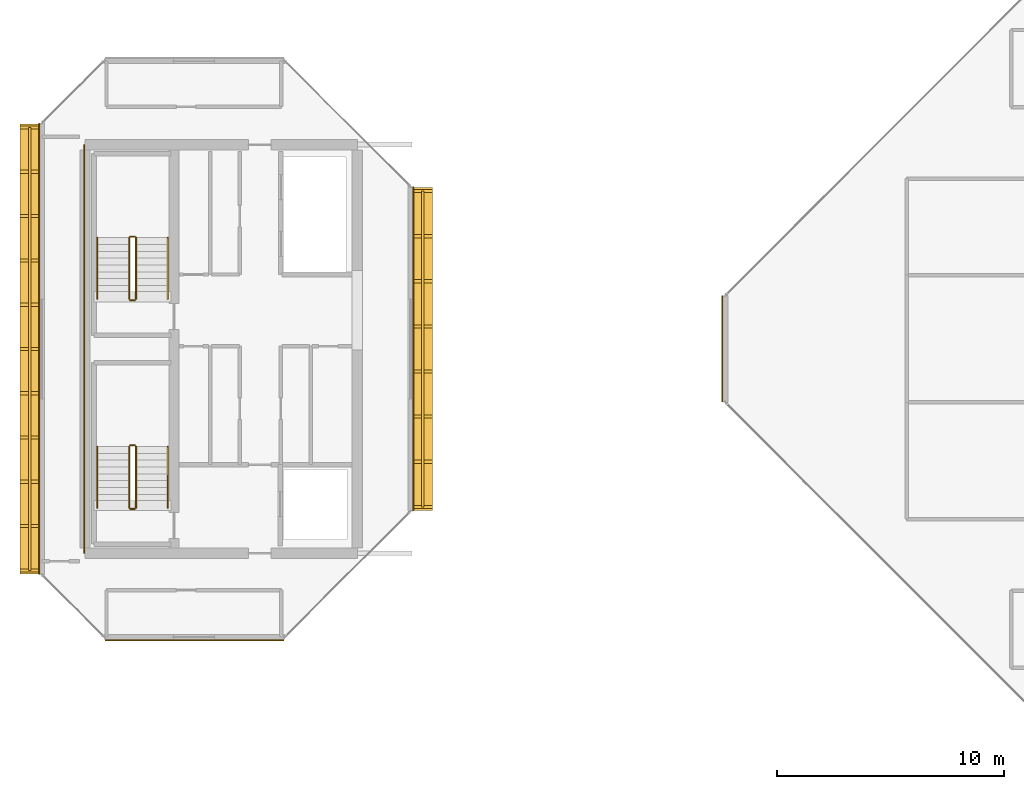
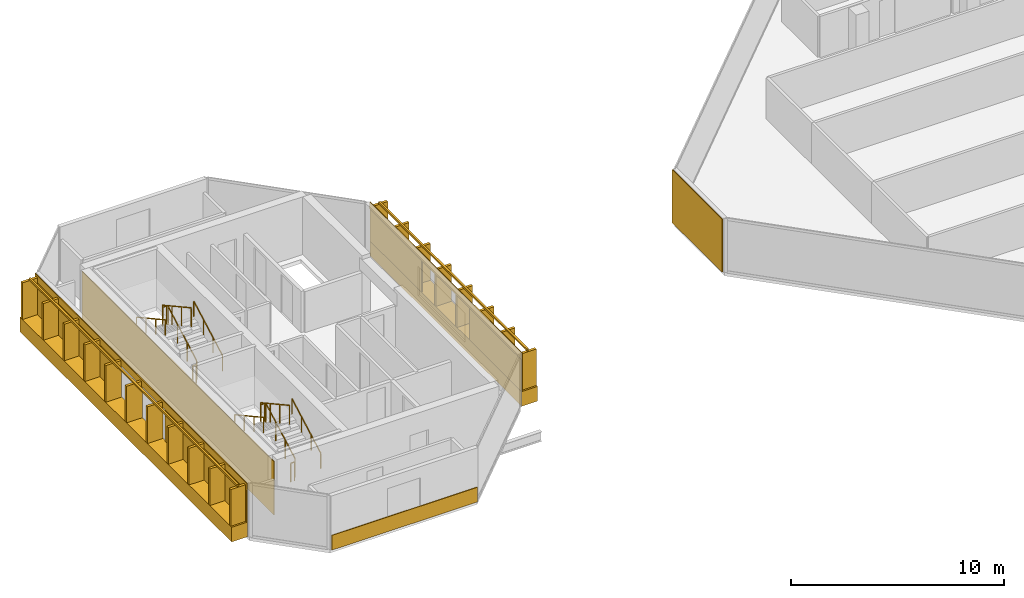
# One storey, part 27 of 29: 14 railings, 11 coverings.
"""IFC4 building model written with IfcOpenShell, lengths in metres."""

from ifc_helpers import new_model, si_unit, direction, frame, origin, origin_2d, place, context, subcontext, project, spatial, rectangle, extrude, material, layer, layer_set, type_object, element, save


model = new_model("IFC4")

# Units and contexts
model_context = context("Model", 3, precision=1e-05, world=origin(), true_north=direction((0.0, 1.0)))
body_context = subcontext(model_context, "Body", "Model", "MODEL_VIEW")
ifc_project = project(units=[si_unit("LENGTHUNIT", "METRE"), si_unit("AREAUNIT", "SQUARE_METRE"), si_unit("VOLUMEUNIT", "CUBIC_METRE"), si_unit("PLANEANGLEUNIT", "RADIAN"), si_unit("MASSUNIT", "GRAM", prefix="KILO")], contexts=[model_context])

# Site, building, storey
site_placement = place(None, origin())
site = spatial("IfcSite", under=ifc_project, at=site_placement, CompositionType="ELEMENT")
building_placement = place(site_placement, origin())
building = spatial("IfcBuilding", under=site, at=building_placement, Name="Tanjung Sevakor Pilgrim Tower", CompositionType="ELEMENT")
storey_placement = place(building_placement, frame((0.0, 0.0, 232.64990234375)))
storey = spatial("IfcBuildingStorey", under=building, at=storey_placement, Name="L65", CompositionType="ELEMENT", Elevation=232.64990234375)

# Coverings
ifc_material_1 = material(Name="Reconstructed Limestone Cladding", Category="masonry")
ifc_layer = layer(ifc_material_1, 0.044921875)
ifc_layer_set = layer_set([ifc_layer], Name="COV-CLAD-LIMESTONE")
covering_type = type_object("IfcCoveringType", Name="COV-CLAD-LIMESTONE", PredefinedType="CLADDING", material=ifc_layer_set)
covering_1_placement = place(storey_placement, frame((28.824951171875, 20.777587890625, 0.01025390625), z_axis=(0.0, 0.0, 1.0), x_axis=(1.0, 0.0, 0.0)))
element("IfcCovering", 1, at=covering_1_placement, inside=storey, type_object=covering_type, Name="L65 Warm Limestone Sill Spandrel EW-L65-WEST-1-1", PredefinedType="CLADDING", context=body_context, shape_type="SweptSolid", body=[
    extrude(rectangle(XDim=7.87890625, YDim=0.044921875, at=origin_2d()), origin(), (0.0, 0.0, 1.0), 0.840087890625),
])
covering_2_placement = place(storey_placement, frame((38.8798828125, 33.60009765625, 0.01025390625), z_axis=(0.0, 0.0, 1.0), x_axis=(0.0, 1.0, 0.0)))
element("IfcCovering", 2, at=covering_2_placement, inside=storey, type_object=covering_type, Name="L65 Warm Limestone Sill Spandrel EW-L65-WEST-3-1", PredefinedType="CLADDING", context=body_context, shape_type="SweptSolid", body=[
    extrude(rectangle(XDim=14.228759765625, YDim=0.860107421875, at=origin_2d()), origin(), (0.0, 0.0, 1.0), 0.840087890625),
])
covering_3_placement = place(storey_placement, frame((38.472412109375, 33.60009765625, 2.66015625), z_axis=(0.0, 0.0, 1.0), x_axis=(0.0, 1.0, 0.0)))
element("IfcCovering", 3, at=covering_3_placement, inside=storey, type_object=covering_type, Name="L65 Warm Limestone Cornice Spandrel EW-L65-WEST-3", PredefinedType="CLADDING", context=body_context, shape_type="SweptSolid", body=[
    extrude(rectangle(XDim=14.268798828125, YDim=0.044921875, at=origin_2d()), origin(), (0.0, 0.0, 1.0), 0.409912109375),
])
for number, where, z_axis, x_axis, name in (
    (4, (38.472412109375, 28.917724609375, 0.85009765625), (0.0, 0.0, 1.0), (0.0, 1.0, 0.0), "L65 Warm Limestone Pier Panel EW-L65-WEST-3-1"),
    (5, (38.472412109375, 38.2822265625, 0.85009765625), (0.0, 0.0, 1.0), (0.0, 1.0, 0.0), "L65 Warm Limestone Pier Panel EW-L65-WEST-3-2"),
):
    element("IfcCovering", number, at=place(storey_placement, frame(where, z_axis=z_axis, x_axis=x_axis)), inside=storey, type_object=covering_type, Name=name, PredefinedType="CLADDING", context=body_context, shape_type="SweptSolid", body=[
        extrude(rectangle(XDim=4.864501953125, YDim=0.044921875, at=origin_2d()), origin(), (0.0, 0.0, 1.0), 1.81005859375),
    ])
covering_4_placement = place(storey_placement, frame((21.570068359375, 33.60009765625, 0.01025390625), z_axis=(0.0, 0.0, 1.0), x_axis=(0.0, -1.0, 0.0)))
element("IfcCovering", 6, at=covering_4_placement, inside=storey, type_object=covering_type, Name="L65 Warm Limestone Sill Spandrel EW-L65-WEST-7-1", PredefinedType="CLADDING", context=body_context, shape_type="SweptSolid", body=[
    extrude(rectangle(XDim=19.828857421875, YDim=0.860107421875, at=origin_2d()), origin(), (0.0, 0.0, 1.0), 0.840087890625),
])
covering_5_placement = place(storey_placement, frame((21.9775390625, 33.60009765625, 2.66015625), z_axis=(0.0, 0.0, 1.0), x_axis=(0.0, -1.0, 0.0)))
element("IfcCovering", 7, at=covering_5_placement, inside=storey, type_object=covering_type, Name="L65 Warm Limestone Cornice Spandrel EW-L65-WEST-7", PredefinedType="CLADDING", context=body_context, shape_type="SweptSolid", body=[
    extrude(rectangle(XDim=19.868896484375, YDim=0.044921875, at=origin_2d()), origin(), (0.0, 0.0, 1.0), 0.409912109375),
])
for number, where, z_axis, x_axis, name in (
    (8, (21.9775390625, 39.68212890625, 0.85009765625), (0.0, 0.0, 1.0), (0.0, -1.0, 0.0), "L65 Warm Limestone Pier Panel EW-L65-WEST-7-1"),
    (9, (21.9775390625, 27.517822265625, 0.85009765625), (0.0, 0.0, 1.0), (0.0, -1.0, 0.0), "L65 Warm Limestone Pier Panel EW-L65-WEST-7-2"),
):
    element("IfcCovering", number, at=place(storey_placement, frame(where, z_axis=z_axis, x_axis=x_axis)), inside=storey, type_object=covering_type, Name=name, PredefinedType="CLADDING", context=body_context, shape_type="SweptSolid", body=[
        extrude(rectangle(XDim=7.664306640625, YDim=0.044921875, at=origin_2d()), origin(), (0.0, 0.0, 1.0), 1.81005859375),
    ])
covering_6_placement = place(storey_placement, frame((52.077392578125, 33.60009765625, 0.02001953125), z_axis=(0.0, 0.0, 1.0), x_axis=(0.0, -1.0, 0.0)))
element("IfcCovering", 10, at=covering_6_placement, inside=storey, type_object=covering_type, Name="L65 Warm Limestone Wall Cladding EW-L65-EAST-7", PredefinedType="CLADDING", context=body_context, shape_type="SweptSolid", body=[
    extrude(rectangle(XDim=4.668701171875, YDim=0.044921875, at=origin_2d()), origin(), (0.0, 0.0, 1.0), 3.0400390625),
])
covering_7_placement = place(storey_placement, frame((23.9775390625, 33.60009765625, 0.02001953125), z_axis=(0.0, 0.0, 1.0), x_axis=(1.0, 0.0, 0.0)))
element("IfcCovering", 11, at=covering_7_placement, inside=storey, type_object=covering_type, Name="L65 Expressed Core Warm Limestone Cladding W", PredefinedType="CLADDING", context=body_context, shape_type="SweptSolid", body=[
    extrude(rectangle(XDim=0.044921875, YDim=18.0, at=origin_2d()), origin(), (0.0, 0.0, 1.0), 3.0400390625),
])

# Railings
ifc_material_2 = material(Name="Anodised Bronze Aluminium 6063-T6", Category="aluminium")
railing_type_1 = type_object("IfcRailingType", Name="RL-FIN-SCREEN", PredefinedType="BALUSTRADE", material=ifc_material_2)
railing_1_placement = place(storey_placement, frame((38.875, 26.6455078125, 0.840087890625)))
element("IfcRailing", 12, at=railing_1_placement, inside=storey, type_object=railing_type_1, Name="L65 Vertical Bronze-Gold Solar Fin Screen FNEND-EW-L65-WEST-3-1", PredefinedType="BALUSTRADE", context=body_context, shape_type="SweptSolid", body=[
    extrude(rectangle(XDim=0.105, YDim=0.105), frame((0.0, 0.0, 2.157470703125), z_axis=(0.0, 1.0, 0.0), x_axis=(-1.0, 0.0, 0.0)), (0.0, 0.0, 1.0), 13.908935546875),
    extrude(rectangle(XDim=0.85, YDim=0.14), origin(), (0.0, 0.0, 1.0), 2.10498046875),
    extrude(rectangle(XDim=0.85, YDim=0.14), frame((0.0, 1.987060546875, 0.0)), (0.0, 0.0, 1.0), 2.10498046875),
    extrude(rectangle(XDim=0.85, YDim=0.14), frame((0.0, 3.973876953125, 0.0)), (0.0, 0.0, 1.0), 2.10498046875),
    extrude(rectangle(XDim=0.85, YDim=0.14), frame((0.0, 5.9609375, 0.0)), (0.0, 0.0, 1.0), 2.10498046875),
    extrude(rectangle(XDim=0.85, YDim=0.14), frame((0.0, 7.947998046875, 0.0)), (0.0, 0.0, 1.0), 2.10498046875),
    extrude(rectangle(XDim=0.85, YDim=0.14), frame((0.0, 9.93505859375, 0.0)), (0.0, 0.0, 1.0), 2.10498046875),
    extrude(rectangle(XDim=0.85, YDim=0.14), frame((0.0, 11.921875, 0.0)), (0.0, 0.0, 1.0), 2.10498046875),
    extrude(rectangle(XDim=0.85, YDim=0.14), frame((0.0, 13.908935546875, 0.0)), (0.0, 0.0, 1.0), 2.10498046875),
])
railing_2_placement = place(storey_placement, frame((21.574951171875, 43.3544921875, 0.840087890625)))
element("IfcRailing", 13, at=railing_2_placement, inside=storey, type_object=railing_type_1, Name="L65 Vertical Bronze-Gold Solar Fin Screen FNEND-EW-L65-WEST-7-1", PredefinedType="BALUSTRADE", context=body_context, shape_type="SweptSolid", body=[
    extrude(rectangle(XDim=0.105, YDim=0.105), frame((0.0, 0.0, 2.157470703125), z_axis=(0.0, -1.0, 0.0), x_axis=(1.0, 0.0, 0.0)), (0.0, 0.0, 1.0), 19.5087890625),
    extrude(rectangle(XDim=0.85, YDim=0.14), origin(), (0.0, 0.0, 1.0), 2.10498046875),
    extrude(rectangle(XDim=0.85, YDim=0.14), frame((0.0, -1.950927734375, 0.0)), (0.0, 0.0, 1.0), 2.10498046875),
    extrude(rectangle(XDim=0.85, YDim=0.14), frame((0.0, -3.90185546875, 0.0)), (0.0, 0.0, 1.0), 2.10498046875),
    extrude(rectangle(XDim=0.85, YDim=0.14), frame((0.0, -5.8525390625, 0.0)), (0.0, 0.0, 1.0), 2.10498046875),
    extrude(rectangle(XDim=0.85, YDim=0.14), frame((0.0, -7.803466796875, 0.0)), (0.0, 0.0, 1.0), 2.10498046875),
    extrude(rectangle(XDim=0.85, YDim=0.14), frame((0.0, -9.75439453125, 0.0)), (0.0, 0.0, 1.0), 2.10498046875),
    extrude(rectangle(XDim=0.85, YDim=0.14), frame((0.0, -11.705322265625, 0.0)), (0.0, 0.0, 1.0), 2.10498046875),
    extrude(rectangle(XDim=0.85, YDim=0.14), frame((0.0, -13.65625, 0.0)), (0.0, 0.0, 1.0), 2.10498046875),
    extrude(rectangle(XDim=0.85, YDim=0.14), frame((0.0, -15.60693359375, 0.0)), (0.0, 0.0, 1.0), 2.10498046875),
    extrude(rectangle(XDim=0.85, YDim=0.14), frame((0.0, -17.557861328125, 0.0)), (0.0, 0.0, 1.0), 2.10498046875),
    extrude(rectangle(XDim=0.85, YDim=0.14), frame((0.0, -19.5087890625, 0.0)), (0.0, 0.0, 1.0), 2.10498046875),
])
ifc_material_3 = material(Name="Steel S355J2", Category="steel")
railing_type_2 = type_object("IfcRailingType", Name="RL-STAIR-GUARD", PredefinedType="GUARDRAIL", material=ifc_material_3)
railing_3_placement = place(storey_placement, frame((26.25, 26.60009765625, 0.1650390625)))
element("IfcRailing", 14, at=railing_3_placement, inside=storey, type_object=railing_type_2, Name="L65 TS-W1 stair guard 1", PredefinedType="GUARDRAIL", context=body_context, shape_type="SweptSolid", body=[
    extrude(rectangle(XDim=0.0479, YDim=0.0479), frame((0.0, 0.0, 1.076171875), z_axis=(0.0, 0.876197507361, 0.481952205197), x_axis=(-1.0, 0.0, 0.0)), (0.0, 0.0, 1.0), 3.08154296875),
    extrude(rectangle(XDim=0.042, YDim=0.042), origin(), (0.0, 0.0, 1.0), 1.052001953125),
    extrude(rectangle(XDim=0.042, YDim=0.042), frame((0.0, 0.89990234375, 0.4951171875)), (0.0, 0.0, 1.0), 1.052001953125),
    extrude(rectangle(XDim=0.042, YDim=0.042), frame((0.0, 1.800048828125, 0.989990234375)), (0.0, 0.0, 1.0), 1.052001953125),
    extrude(rectangle(XDim=0.042, YDim=0.042), frame((0.0, 2.699951171875, 1.485107421875)), (0.0, 0.0, 1.0), 1.052001953125),
])
railing_4_placement = place(storey_placement, frame((26.199951171875, 29.35009765625, 1.650146484375)))
element("IfcRailing", 15, at=railing_4_placement, inside=storey, type_object=railing_type_2, Name="L65 TS-W1 stair guard 2", PredefinedType="GUARDRAIL", context=body_context, shape_type="SweptSolid", body=[
    extrude(rectangle(XDim=0.0479, YDim=0.0479), frame((0.0, 0.0, 1.076171875), z_axis=(-1.0, 0.0, 0.0), x_axis=(0.0, -1.0, 0.0)), (0.0, 0.0, 1.0), 0.199951171875),
    extrude(rectangle(XDim=0.042, YDim=0.042), origin(), (0.0, 0.0, 1.0), 1.052001953125),
    extrude(rectangle(XDim=0.042, YDim=0.042), frame((-0.199951171875, 0.0, 0.0)), (0.0, 0.0, 1.0), 1.052001953125),
])
railing_5_placement = place(storey_placement, frame((25.949951171875, 29.300048828125, 1.815185546875)))
element("IfcRailing", 16, at=railing_5_placement, inside=storey, type_object=railing_type_2, Name="L65 TS-W1 stair guard 3", PredefinedType="GUARDRAIL", context=body_context, shape_type="SweptSolid", body=[
    extrude(rectangle(XDim=0.0479, YDim=0.0479), frame((0.0, 0.0, 1.076171875), z_axis=(0.0, -0.876230963923, 0.481891375584), x_axis=(1.0, 0.0, 0.0)), (0.0, 0.0, 1.0), 3.081298828125),
    extrude(rectangle(XDim=0.042, YDim=0.042), origin(), (0.0, 0.0, 1.0), 1.052001953125),
    extrude(rectangle(XDim=0.042, YDim=0.042), frame((0.0, -0.89990234375, 0.494873046875)), (0.0, 0.0, 1.0), 1.052001953125),
    extrude(rectangle(XDim=0.042, YDim=0.042), frame((0.0, -1.800048828125, 0.989990234375)), (0.0, 0.0, 1.0), 1.052001953125),
    extrude(rectangle(XDim=0.042, YDim=0.042), frame((0.0, -2.699951171875, 1.48486328125)), (0.0, 0.0, 1.0), 1.052001953125),
])
railing_6_placement = place(storey_placement, frame((26.199951171875, 26.550048828125, 0.0)))
element("IfcRailing", 17, at=railing_6_placement, inside=storey, type_object=railing_type_2, Name="L65 TS-W1 stair guard 4", PredefinedType="GUARDRAIL", context=body_context, shape_type="SweptSolid", body=[
    extrude(rectangle(XDim=0.0479, YDim=0.0479), frame((0.0, 0.0, 1.076171875), z_axis=(-1.0, 0.0, 0.0), x_axis=(0.0, -1.0, 0.0)), (0.0, 0.0, 1.0), 0.199951171875),
    extrude(rectangle(XDim=0.042, YDim=0.042), origin(), (0.0, 0.0, 1.0), 1.052001953125),
    extrude(rectangle(XDim=0.042, YDim=0.042), frame((-0.199951171875, 0.0, 0.0)), (0.0, 0.0, 1.0), 1.052001953125),
])
railing_7_placement = place(storey_placement, frame((26.25, 35.800048828125, 0.1650390625)))
element("IfcRailing", 18, at=railing_7_placement, inside=storey, type_object=railing_type_2, Name="L65 TS-W2 stair guard 1", PredefinedType="GUARDRAIL", context=body_context, shape_type="SweptSolid", body=[
    extrude(rectangle(XDim=0.0479, YDim=0.0479), frame((0.0, 0.0, 1.076171875), z_axis=(0.0, 0.876197507361, 0.481952205197), x_axis=(-1.0, 0.0, 0.0)), (0.0, 0.0, 1.0), 3.08154296875),
    extrude(rectangle(XDim=0.042, YDim=0.042), origin(), (0.0, 0.0, 1.0), 1.052001953125),
    extrude(rectangle(XDim=0.042, YDim=0.042), frame((0.0, 0.89990234375, 0.4951171875)), (0.0, 0.0, 1.0), 1.052001953125),
    extrude(rectangle(XDim=0.042, YDim=0.042), frame((0.0, 1.800048828125, 0.989990234375)), (0.0, 0.0, 1.0), 1.052001953125),
    extrude(rectangle(XDim=0.042, YDim=0.042), frame((0.0, 2.699951171875, 1.485107421875)), (0.0, 0.0, 1.0), 1.052001953125),
])
railing_8_placement = place(storey_placement, frame((26.199951171875, 38.550048828125, 1.650146484375)))
element("IfcRailing", 19, at=railing_8_placement, inside=storey, type_object=railing_type_2, Name="L65 TS-W2 stair guard 2", PredefinedType="GUARDRAIL", context=body_context, shape_type="SweptSolid", body=[
    extrude(rectangle(XDim=0.0479, YDim=0.0479), frame((0.0, 0.0, 1.076171875), z_axis=(-1.0, 0.0, 0.0), x_axis=(0.0, -1.0, 0.0)), (0.0, 0.0, 1.0), 0.199951171875),
    extrude(rectangle(XDim=0.042, YDim=0.042), origin(), (0.0, 0.0, 1.0), 1.052001953125),
    extrude(rectangle(XDim=0.042, YDim=0.042), frame((-0.199951171875, 0.0, 0.0)), (0.0, 0.0, 1.0), 1.052001953125),
])
railing_9_placement = place(storey_placement, frame((25.949951171875, 38.5, 1.815185546875)))
element("IfcRailing", 20, at=railing_9_placement, inside=storey, type_object=railing_type_2, Name="L65 TS-W2 stair guard 3", PredefinedType="GUARDRAIL", context=body_context, shape_type="SweptSolid", body=[
    extrude(rectangle(XDim=0.0479, YDim=0.0479), frame((0.0, 0.0, 1.076171875), z_axis=(0.0, -0.876230963923, 0.481891375584), x_axis=(1.0, 0.0, 0.0)), (0.0, 0.0, 1.0), 3.081298828125),
    extrude(rectangle(XDim=0.042, YDim=0.042), origin(), (0.0, 0.0, 1.0), 1.052001953125),
    extrude(rectangle(XDim=0.042, YDim=0.042), frame((0.0, -0.89990234375, 0.494873046875)), (0.0, 0.0, 1.0), 1.052001953125),
    extrude(rectangle(XDim=0.042, YDim=0.042), frame((0.0, -1.800048828125, 0.989990234375)), (0.0, 0.0, 1.0), 1.052001953125),
    extrude(rectangle(XDim=0.042, YDim=0.042), frame((0.0, -2.699951171875, 1.48486328125)), (0.0, 0.0, 1.0), 1.052001953125),
])
railing_10_placement = place(storey_placement, frame((26.199951171875, 35.75, 0.0)))
element("IfcRailing", 21, at=railing_10_placement, inside=storey, type_object=railing_type_2, Name="L65 TS-W2 stair guard 4", PredefinedType="GUARDRAIL", context=body_context, shape_type="SweptSolid", body=[
    extrude(rectangle(XDim=0.0479, YDim=0.0479), frame((0.0, 0.0, 1.076171875), z_axis=(-1.0, 0.0, 0.0), x_axis=(0.0, -1.0, 0.0)), (0.0, 0.0, 1.0), 0.199951171875),
    extrude(rectangle(XDim=0.042, YDim=0.042), origin(), (0.0, 0.0, 1.0), 1.052001953125),
    extrude(rectangle(XDim=0.042, YDim=0.042), frame((-0.199951171875, 0.0, 0.0)), (0.0, 0.0, 1.0), 1.052001953125),
])
ifc_material_4 = material(Name="Steel S355J2", Category="steel")
railing_type_3 = type_object("IfcRailingType", Name="RL-STAIR-HAND", PredefinedType="HANDRAIL", material=ifc_material_4)
railing_11_placement = place(storey_placement, frame((27.64990234375, 26.60009765625, 0.1650390625)))
element("IfcRailing", 22, at=railing_11_placement, inside=storey, type_object=railing_type_3, Name="L65 TS-W1 stair handrail 1", PredefinedType="HANDRAIL", context=body_context, shape_type="SweptSolid", body=[
    extrude(rectangle(XDim=0.0479, YDim=0.0479), frame((0.0, 0.0, 0.8759765625), z_axis=(0.0, 0.876197507361, 0.481952205197), x_axis=(-1.0, 0.0, 0.0)), (0.0, 0.0, 1.0), 3.08154296875),
    extrude(rectangle(XDim=0.042, YDim=0.042), origin(), (0.0, 0.0, 1.0), 0.851806640625),
    extrude(rectangle(XDim=0.042, YDim=0.042), frame((0.0, 0.89990234375, 0.4951171875)), (0.0, 0.0, 1.0), 0.851806640625),
    extrude(rectangle(XDim=0.042, YDim=0.042), frame((0.0, 1.800048828125, 0.989990234375)), (0.0, 0.0, 1.0), 0.851806640625),
    extrude(rectangle(XDim=0.042, YDim=0.042), frame((0.0, 2.699951171875, 1.485107421875)), (0.0, 0.0, 1.0), 0.851806640625),
])
railing_12_placement = place(storey_placement, frame((24.550048828125, 29.300048828125, 1.815185546875)))
element("IfcRailing", 23, at=railing_12_placement, inside=storey, type_object=railing_type_3, Name="L65 TS-W1 stair handrail 2", PredefinedType="HANDRAIL", context=body_context, shape_type="SweptSolid", body=[
    extrude(rectangle(XDim=0.0479, YDim=0.0479), frame((0.0, 0.0, 0.8759765625), z_axis=(0.0, -0.876230963923, 0.481891375584), x_axis=(1.0, 0.0, 0.0)), (0.0, 0.0, 1.0), 3.081298828125),
    extrude(rectangle(XDim=0.042, YDim=0.042), origin(), (0.0, 0.0, 1.0), 0.851806640625),
    extrude(rectangle(XDim=0.042, YDim=0.042), frame((0.0, -0.89990234375, 0.494873046875)), (0.0, 0.0, 1.0), 0.851806640625),
    extrude(rectangle(XDim=0.042, YDim=0.042), frame((0.0, -1.800048828125, 0.989990234375)), (0.0, 0.0, 1.0), 0.851806640625),
    extrude(rectangle(XDim=0.042, YDim=0.042), frame((0.0, -2.699951171875, 1.48486328125)), (0.0, 0.0, 1.0), 0.851806640625),
])
railing_13_placement = place(storey_placement, frame((27.64990234375, 35.800048828125, 0.1650390625)))
element("IfcRailing", 24, at=railing_13_placement, inside=storey, type_object=railing_type_3, Name="L65 TS-W2 stair handrail 1", PredefinedType="HANDRAIL", context=body_context, shape_type="SweptSolid", body=[
    extrude(rectangle(XDim=0.0479, YDim=0.0479), frame((0.0, 0.0, 0.8759765625), z_axis=(0.0, 0.876197507361, 0.481952205197), x_axis=(-1.0, 0.0, 0.0)), (0.0, 0.0, 1.0), 3.08154296875),
    extrude(rectangle(XDim=0.042, YDim=0.042), origin(), (0.0, 0.0, 1.0), 0.851806640625),
    extrude(rectangle(XDim=0.042, YDim=0.042), frame((0.0, 0.89990234375, 0.4951171875)), (0.0, 0.0, 1.0), 0.851806640625),
    extrude(rectangle(XDim=0.042, YDim=0.042), frame((0.0, 1.800048828125, 0.989990234375)), (0.0, 0.0, 1.0), 0.851806640625),
    extrude(rectangle(XDim=0.042, YDim=0.042), frame((0.0, 2.699951171875, 1.485107421875)), (0.0, 0.0, 1.0), 0.851806640625),
])
railing_14_placement = place(storey_placement, frame((24.550048828125, 38.5, 1.815185546875)))
element("IfcRailing", 25, at=railing_14_placement, inside=storey, type_object=railing_type_3, Name="L65 TS-W2 stair handrail 2", PredefinedType="HANDRAIL", context=body_context, shape_type="SweptSolid", body=[
    extrude(rectangle(XDim=0.0479, YDim=0.0479), frame((0.0, 0.0, 0.8759765625), z_axis=(0.0, -0.876230963923, 0.481891375584), x_axis=(1.0, 0.0, 0.0)), (0.0, 0.0, 1.0), 3.081298828125),
    extrude(rectangle(XDim=0.042, YDim=0.042), origin(), (0.0, 0.0, 1.0), 0.851806640625),
    extrude(rectangle(XDim=0.042, YDim=0.042), frame((0.0, -0.89990234375, 0.494873046875)), (0.0, 0.0, 1.0), 0.851806640625),
    extrude(rectangle(XDim=0.042, YDim=0.042), frame((0.0, -1.800048828125, 0.989990234375)), (0.0, 0.0, 1.0), 0.851806640625),
    extrude(rectangle(XDim=0.042, YDim=0.042), frame((0.0, -2.699951171875, 1.48486328125)), (0.0, 0.0, 1.0), 0.851806640625),
])

save(model, "model.ifc")
